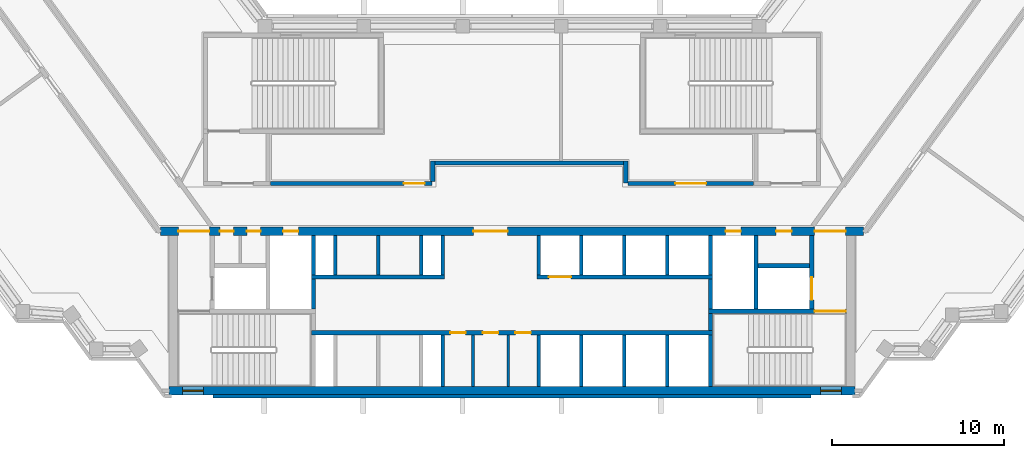
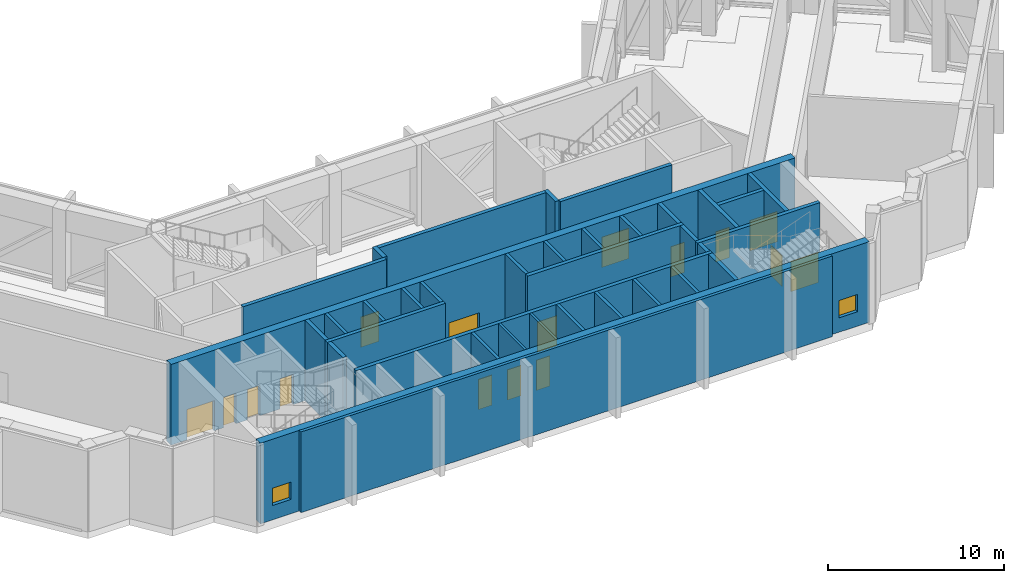
# One storey, part 10 of 15: 36 walls, 16 doors, 2 windows, 18 openings.
"""IFC4 building model written with IfcOpenShell, lengths in metres."""

import ifcopenshell
import ifcopenshell.guid

model = None  # the IFC model being written
_history = None  # IfcOwnerHistory: only IFC2X3 demands one
_inside = {}  # id of a spatial element -> (the spatial element, [elements in it])
_under = {}  # id of a project, library or spatial element -> (it, [spatial elements below it])
_declared = {}  # id of a project -> (the project, [libraries it declares])
_typed = {}  # id of a type object -> (the type object, [elements of that type])
_made_of = {}  # id of a material, layer set ... -> (it, [elements and type objects made of it])


def new_model(schema):
    """Start an empty IFC model of exactly this schema.

    Asked for "IFC4X3", IfcOpenShell would pick the latest addendum, in which some entities
    have other attributes; the version numbers below select the first issue.
    IFC2X3 requires an IfcOwnerHistory on every rooted entity: one is made here for all.
    """
    global model, _history
    if schema == "IFC4X3":
        model = ifcopenshell.file(schema_version=(4, 3, 0, 0))
    else:
        model = ifcopenshell.file(schema=schema)
    _inside.clear()
    _under.clear()
    _declared.clear()
    _typed.clear()
    _made_of.clear()
    _history = None
    if model.schema == "IFC2X3":
        org = make("IfcOrganization", Name="unknown")
        user = make(
            "IfcPersonAndOrganization",
            ThePerson=make("IfcPerson", FamilyName="unknown"),
            TheOrganization=org,
        )
        app = make(
            "IfcApplication",
            ApplicationDeveloper=org,
            Version="unknown",
            ApplicationFullName="unknown",
            ApplicationIdentifier="unknown",
        )
        _history = make(
            "IfcOwnerHistory",
            OwningUser=user,
            OwningApplication=app,
            ChangeAction="ADDED",
            CreationDate=0,
        )
    return model


def make(cls, **values):
    """One entity of the class cls with the attributes given. An attribute that is None is left unset."""
    return model.create_entity(
        cls, **{name: value for name, value in values.items() if value is not None}
    )


def rooted(cls, **values):
    """An entity with a GlobalId (a new one), such as an element, a storey or a relation."""
    return make(cls, GlobalId=ifcopenshell.guid.new(), OwnerHistory=_history, **values)


def si_unit(unit_type, name, prefix=None):
    """IfcSIUnit, for example si_unit("LENGTHUNIT", "METRE", prefix="MILLI")."""
    return make("IfcSIUnit", UnitType=unit_type, Prefix=prefix, Name=name)


def assignment(units):
    """IfcUnitAssignment: the units of a project."""
    return None if units is None else make("IfcUnitAssignment", Units=units)


def point(xyz):
    """IfcCartesianPoint."""
    return None if xyz is None else make("IfcCartesianPoint", Coordinates=xyz)


def direction(xyz):
    """IfcDirection."""
    return None if xyz is None else make("IfcDirection", DirectionRatios=xyz)


def frame(location, z_axis=None, x_axis=None):
    """IfcAxis2Placement3D, a coordinate frame: its origin and axes. An axis left out is left unset."""
    return make(
        "IfcAxis2Placement3D",
        Location=point(location),
        Axis=direction(z_axis),
        RefDirection=direction(x_axis),
    )


def frame_2d(location, x_axis=None):
    """IfcAxis2Placement2D, a coordinate frame in the plane: its origin and x axis."""
    return make(
        "IfcAxis2Placement2D", Location=point(location), RefDirection=direction(x_axis)
    )


def origin():
    """The frame at (0, 0, 0) with its axes left unset."""
    return frame((0.0, 0.0, 0.0))


def place(relative_to, where):
    """IfcLocalPlacement: puts the frame where relative to a parent placement (None: the world)."""
    return make(
        "IfcLocalPlacement", PlacementRelTo=relative_to, RelativePlacement=where
    )


def context(
    kind, dimensions, precision=None, world=None, true_north=None, identifier=None
):
    """IfcGeometricRepresentationContext, for example the 3D "Model" context."""
    return make(
        "IfcGeometricRepresentationContext",
        ContextIdentifier=identifier,
        ContextType=kind,
        CoordinateSpaceDimension=dimensions,
        Precision=precision,
        WorldCoordinateSystem=world,
        TrueNorth=true_north,
    )


def subcontext(parent, identifier, kind, view, scale=None):
    """IfcGeometricRepresentationSubContext, for example "Body" below "Model"."""
    return make(
        "IfcGeometricRepresentationSubContext",
        ContextIdentifier=identifier,
        ContextType=kind,
        ParentContext=parent,
        TargetScale=scale,
        TargetView=view,
    )


def project(units=None, contexts=None):
    """IfcProject with its units and contexts."""
    return rooted(
        "IfcProject",
        Name="project",
        RepresentationContexts=contexts,
        UnitsInContext=assignment(units),
    )


def spatial(cls, under=None, at=None, **own):
    """A site, building, storey or space (cls), placed at a placement, below another one or the project."""
    s = rooted(cls, ObjectPlacement=at, **own)
    if under is not None:
        _under.setdefault(under.id(), (under, []))[1].append(s)
    return s


def profile(cls, at=None, kind="AREA", **sizes):
    """A parametric profile (cls). Its sizes go by their IFC names, for example OverallWidth=200.0."""
    return make(cls, ProfileType=kind, Position=at, **sizes)


def rectangle(**sizes):
    """IfcRectangleProfileDef."""
    return profile("IfcRectangleProfileDef", **sizes)


def extrude(swept, where, along, depth):
    """IfcExtrudedAreaSolid: the profile swept, set in the frame where, extruded along a direction by depth."""
    return make(
        "IfcExtrudedAreaSolid",
        SweptArea=swept,
        Position=where,
        ExtrudedDirection=direction(along),
        Depth=depth,
    )


def shape(context_of_items, identifier, shape_type, items):
    """IfcShapeRepresentation: the items that make up one representation, for example the "Body"."""
    return make(
        "IfcShapeRepresentation",
        ContextOfItems=context_of_items,
        RepresentationIdentifier=identifier,
        RepresentationType=shape_type,
        Items=items,
    )


def material(Name=None, Category=None):
    """IfcMaterial."""
    return make("IfcMaterial", Name=Name, Category=Category)


def layer(
    of_material, thickness, ventilated=None, Name=None, Category=None, Priority=None
):
    """IfcMaterialLayer: one layer of a wall or slab, of a material (None: an air gap)."""
    return make(
        "IfcMaterialLayer",
        Material=of_material,
        LayerThickness=thickness,
        IsVentilated=ventilated,
        Name=Name,
        Category=Category,
        Priority=Priority,
    )


def layer_set(layers, Name=None):
    """IfcMaterialLayerSet."""
    return make("IfcMaterialLayerSet", MaterialLayers=layers, LayerSetName=Name)


def made_of(thing, what):
    """Note that an element or type object is made of a material, layer set ...; save() writes the relation."""
    if what is not None:
        _made_of.setdefault(what.id(), (what, []))[1].append(thing)
    return thing


def type_object(cls, material=None, **own):
    """A type object (cls), such as IfcWallType, which elements share."""
    return made_of(rooted(cls, **own), material)


def element(
    cls,
    number,
    at=None,
    inside=None,
    cuts=None,
    type_object=None,
    material=None,
    context=None,
    identifier="Body",
    shape_type=None,
    held_by="IfcProductDefinitionShape",
    body=None,
    shapes=None,
    **own,
):
    """One element of the class cls, such as IfcWall. Its Tag is "e" and its number.

    at: its placement. inside: the storey or other place that contains it. cuts: it is an
    opening in that element (IfcRelVoidsElement). A single representation is given by context,
    identifier, shape_type and body (its items); several are given by shapes. held_by: the class
    of the entity that holds the representations. save() writes the other relations.
    """
    e = rooted(cls, Tag="e%d" % number, ObjectPlacement=at, **own)
    if body is not None:
        shapes = [shape(context, identifier, shape_type, body)]
    if shapes is not None:
        e.Representation = make(held_by, Representations=shapes)
    if inside is not None:
        _inside.setdefault(inside.id(), (inside, []))[1].append(e)
    if cuts is not None:
        rooted(
            "IfcRelVoidsElement", RelatingBuildingElement=cuts, RelatedOpeningElement=e
        )
    if type_object is not None:
        _typed.setdefault(type_object.id(), (type_object, []))[1].append(e)
    return made_of(e, material)


def fill(opening, filler):
    """IfcRelFillsElement: the door or window that sits in an opening."""
    return rooted(
        "IfcRelFillsElement",
        RelatingOpeningElement=opening,
        RelatedBuildingElement=filler,
    )


def aggregate(whole, parts):
    """IfcRelAggregates: a whole, such as a stair, and the parts it consists of."""
    return rooted("IfcRelAggregates", RelatingObject=whole, RelatedObjects=parts)


def save(model, path):
    """Write the relations noted so far, then the file.

    IfcRelAggregates (storeys below a building ...), IfcRelContainedInSpatialStructure (elements
    in a storey), IfcRelDefinesByType, IfcRelAssociatesMaterial and IfcRelDeclares: one each for
    every whole, place, type object, material and project.
    """
    for whole, parts in _under.values():
        aggregate(whole, parts)
    for where, things in _inside.values():
        rooted(
            "IfcRelContainedInSpatialStructure",
            RelatedElements=things,
            RelatingStructure=where,
        )
    for kind, things in _typed.values():
        rooted("IfcRelDefinesByType", RelatedObjects=things, RelatingType=kind)
    for what, things in _made_of.values():
        rooted("IfcRelAssociatesMaterial", RelatedObjects=things, RelatingMaterial=what)
    for by, libraries in _declared.values():
        rooted("IfcRelDeclares", RelatingContext=by, RelatedDefinitions=libraries)
    model.write(path)


model = new_model("IFC4")

# Units and contexts
model_context = context("Model", 3, precision=1e-05, world=origin(), true_north=direction((0.0, 1.0)))
body_context = subcontext(model_context, "Body", "Model", "MODEL_VIEW")
ifc_project = project(units=[si_unit("LENGTHUNIT", "METRE"), si_unit("AREAUNIT", "SQUARE_METRE"), si_unit("VOLUMEUNIT", "CUBIC_METRE"), si_unit("PLANEANGLEUNIT", "RADIAN"), si_unit("MASSUNIT", "GRAM", prefix="KILO")], contexts=[model_context])

# Site, building, storey
site_placement = place(None, origin())
site = spatial("IfcSite", under=ifc_project, at=site_placement, CompositionType="ELEMENT")
building_placement = place(site_placement, origin())
building = spatial("IfcBuilding", under=site, at=building_placement, Name="Quipu Civic Tower", CompositionType="ELEMENT")
storey_placement = place(building_placement, frame((0.0, 0.0, 242.0)))
storey = spatial("IfcBuildingStorey", under=building, at=storey_placement, Name="L57", CompositionType="ELEMENT", Elevation=242.0)

# Wall
ifc_material_1 = material(Name="Concrete C70/85", Category="concrete")
ifc_layer_1 = layer(ifc_material_1, 0.25)
ifc_layer_set_1 = layer_set([ifc_layer_1], Name="Concrete C70/85")
wall_type_1 = type_object("IfcWallType", Name="Core wall 250", PredefinedType="SHEAR", material=ifc_layer_set_1)
wall_1_placement = place(storey_placement, frame((11.574951171875, -10.5, 0.0), z_axis=(0.0, 0.0, 1.0), x_axis=(0.0, 1.0, 0.0)))
element("IfcWall", 1, at=wall_1_placement, inside=storey, type_object=wall_type_1, Name="Core wall", PredefinedType="SHEAR", context=body_context, shape_type="SweptSolid", body=[
    extrude(rectangle(XDim=3.0, YDim=0.25, at=frame_2d((1.5, 0.0))), origin(), (0.0, 0.0, 1.0), 5.60009765625),
])

# Wall, openings, doors
wall_2_placement = place(storey_placement, frame((11.699951171875, -7.375, 0.0), z_axis=(0.0, 0.0, 1.0), x_axis=(-1.0, 0.0, 0.0)))
wall_2 = element("IfcWall", 2, at=wall_2_placement, inside=storey, type_object=wall_type_1, Name="Core wall", PredefinedType="SHEAR", context=body_context, shape_type="SweptSolid", body=[
    extrude(rectangle(XDim=23.39990234375, YDim=0.25, at=frame_2d((11.699951171875, 0.0))), origin(), (0.0, 0.0, 1.0), 5.60009765625),
])
opening_1_placement = place(wall_2_placement, frame((14.39990234375, 0.0, 0.0)))
opening_1 = element("IfcOpeningElement", 3, at=opening_1_placement, cuts=wall_2, Name="Opening CD-01", PredefinedType="OPENING", context=body_context, shape_type="SweptSolid", body=[
    extrude(rectangle(XDim=0.89990234375, YDim=2.10009765625, at=frame_2d((0.449951171875, 1.050048828125))), frame((0.0, 0.135009765625, 0.0), z_axis=(0.0, -1.0, 0.0), x_axis=(1.0, 0.0, 0.0)), (0.0, 0.0, 1.0), 0.27001953125),
])
opening_2_placement = place(wall_2_placement, frame((12.5, 0.0, 0.0)))
opening_2 = element("IfcOpeningElement", 4, at=opening_2_placement, cuts=wall_2, Name="Opening CD-02", PredefinedType="OPENING", context=body_context, shape_type="SweptSolid", body=[
    extrude(rectangle(XDim=0.89990234375, YDim=2.10009765625, at=frame_2d((0.449951171875, 1.050048828125))), frame((0.0, 0.135009765625, 0.0), z_axis=(0.0, -1.0, 0.0), x_axis=(1.0, 0.0, 0.0)), (0.0, 0.0, 1.0), 0.27001953125),
])
opening_3_placement = place(wall_2_placement, frame((10.60009765625, 0.0, 0.0)))
opening_3 = element("IfcOpeningElement", 5, at=opening_3_placement, cuts=wall_2, Name="Opening CD-03", PredefinedType="OPENING", context=body_context, shape_type="SweptSolid", body=[
    extrude(rectangle(XDim=0.89990234375, YDim=2.10009765625, at=frame_2d((0.449951171875, 1.050048828125))), frame((0.0, 0.135009765625, 0.0), z_axis=(0.0, -1.0, 0.0), x_axis=(1.0, 0.0, 0.0)), (0.0, 0.0, 1.0), 0.27001953125),
])
ifc_material_2 = material(Name="Fire rated steel door", Category="steel")
door_type_1 = type_object("IfcDoorType", Name="Fire door FD60 900 x 2100", OperationType="NOTDEFINED", PredefinedType="DOOR", material=ifc_material_2)
door_1_placement = place(opening_1_placement, origin())
door_1 = element("IfcDoor", 6, at=door_1_placement, inside=storey, type_object=door_type_1, Name="Plant door", OperationType="SINGLE_SWING_RIGHT", OverallHeight=2.10009765625, OverallWidth=0.89990234375, PredefinedType="DOOR", context=body_context, shape_type="SweptSolid", body=[
    extrude(rectangle(XDim=0.89990234375, YDim=2.10009765625, at=frame_2d((0.449951171875, 1.050048828125))), frame((0.0, 0.02490234375, 0.0), z_axis=(0.0, -1.0, 0.0), x_axis=(1.0, 0.0, 0.0)), (0.0, 0.0, 1.0), 0.050048828125),
])
fill(opening_1, door_1)
door_2_placement = place(opening_2_placement, origin())
door_2 = element("IfcDoor", 7, at=door_2_placement, inside=storey, type_object=door_type_1, Name="Plant door", OperationType="SINGLE_SWING_RIGHT", OverallHeight=2.10009765625, OverallWidth=0.89990234375, PredefinedType="DOOR", context=body_context, shape_type="SweptSolid", body=[
    extrude(rectangle(XDim=0.89990234375, YDim=2.10009765625, at=frame_2d((0.449951171875, 1.050048828125))), frame((0.0, 0.02490234375, 0.0), z_axis=(0.0, -1.0, 0.0), x_axis=(1.0, 0.0, 0.0)), (0.0, 0.0, 1.0), 0.050048828125),
])
fill(opening_2, door_2)
door_3_placement = place(opening_3_placement, origin())
door_3 = element("IfcDoor", 8, at=door_3_placement, inside=storey, type_object=door_type_1, Name="Plant door", OperationType="SINGLE_SWING_LEFT", OverallHeight=2.10009765625, OverallWidth=0.89990234375, PredefinedType="DOOR", context=body_context, shape_type="SweptSolid", body=[
    extrude(rectangle(XDim=0.89990234375, YDim=2.10009765625, at=frame_2d((0.449951171875, 1.050048828125))), frame((0.0, 0.02490234375, 0.0), z_axis=(0.0, -1.0, 0.0), x_axis=(1.0, 0.0, 0.0)), (0.0, 0.0, 1.0), 0.050048828125),
])
fill(opening_3, door_3)

# Wall
wall_3_placement = place(storey_placement, frame((11.574951171875, -7.25, 0.0), z_axis=(0.0, 0.0, 1.0), x_axis=(0.0, 1.0, 0.0)))
element("IfcWall", 9, at=wall_3_placement, inside=storey, type_object=wall_type_1, Name="Core wall", PredefinedType="SHEAR", context=body_context, shape_type="SweptSolid", body=[
    extrude(rectangle(XDim=1.0, YDim=0.25, at=frame_2d((0.5, 0.0))), origin(), (0.0, 0.0, 1.0), 5.60009765625),
])

# Wall, opening, door
wall_4_placement = place(storey_placement, frame((19.5, -6.125, 0.0), z_axis=(0.0, 0.0, 1.0), x_axis=(-1.0, 0.0, 0.0)))
wall_4 = element("IfcWall", 10, at=wall_4_placement, inside=storey, type_object=wall_type_1, Name="Core wall", PredefinedType="SHEAR", context=body_context, shape_type="SweptSolid", body=[
    extrude(rectangle(XDim=8.050048828125, YDim=0.25, at=frame_2d((4.02490234375, 0.0))), origin(), (0.0, 0.0, 1.0), 5.60009765625),
])
opening_4_placement = place(wall_4_placement, frame((0.050048828125, 0.0, 0.0)))
opening_4 = element("IfcOpeningElement", 11, at=opening_4_placement, cuts=wall_4, Name="Opening CD-05", PredefinedType="OPENING", context=body_context, shape_type="SweptSolid", body=[
    extrude(rectangle(XDim=1.800048828125, YDim=2.10009765625, at=frame_2d((0.89990234375, 1.050048828125))), frame((0.0, 0.135009765625, 0.0), z_axis=(0.0, -1.0, 0.0), x_axis=(1.0, 0.0, 0.0)), (0.0, 0.0, 1.0), 0.27001953125),
])
ifc_material_3 = material(Name="Fire rated steel door", Category="steel")
door_type_2 = type_object("IfcDoorType", Name="Fire door FD90 double 1800 x 2100", OperationType="NOTDEFINED", PredefinedType="DOOR", material=ifc_material_3)
door_4_placement = place(opening_4_placement, origin())
door_4 = element("IfcDoor", 12, at=door_4_placement, inside=storey, type_object=door_type_2, Name="Door", OperationType="DOUBLE_DOOR_SINGLE_SWING", OverallHeight=2.10009765625, OverallWidth=1.800048828125, PredefinedType="DOOR", context=body_context, shape_type="SweptSolid", body=[
    extrude(rectangle(XDim=1.800048828125, YDim=2.10009765625, at=frame_2d((0.89990234375, 1.050048828125))), frame((0.0, 0.02490234375, 0.0), z_axis=(0.0, -1.0, 0.0), x_axis=(1.0, 0.0, 0.0)), (0.0, 0.0, 1.0), 0.050048828125),
])
fill(opening_4, door_4)

# Walls
for number, where, z_axis, x_axis, name in (
    (13, (-11.574951171875, -6.0, 0.0), (0.0, 0.0, 1.0), (0.0, 1.0, 0.0), "Core wall"),
    (14, (11.574951171875, -6.0, 0.0), (0.0, 0.0, 1.0), (0.0, 1.0, 0.0), "Core wall"),
):
    element("IfcWall", number, at=place(storey_placement, frame(where, z_axis=z_axis, x_axis=x_axis)), inside=storey, type_object=wall_type_1, Name=name, PredefinedType="SHEAR", context=body_context, shape_type="SweptSolid", body=[
        extrude(rectangle(XDim=1.75, YDim=0.25, at=frame_2d((0.875, 0.0))), origin(), (0.0, 0.0, 1.0), 5.60009765625),
    ])
wall_5_placement = place(storey_placement, frame((14.22509765625, -6.0, 0.0), z_axis=(0.0, 0.0, 1.0), x_axis=(0.0, 1.0, 0.0)))
element("IfcWall", 15, at=wall_5_placement, inside=storey, type_object=wall_type_1, Name="Core wall", PredefinedType="SHEAR", context=body_context, shape_type="SweptSolid", body=[
    extrude(rectangle(XDim=4.300048828125, YDim=0.25, at=frame_2d((2.14990234375, 0.0))), origin(), (0.0, 0.0, 1.0), 5.60009765625),
])

# Wall, opening, door
wall_6_placement = place(storey_placement, frame((17.47509765625, -6.0, 0.0), z_axis=(0.0, 0.0, 1.0), x_axis=(0.0, 1.0, 0.0)))
wall_6 = element("IfcWall", 16, at=wall_6_placement, inside=storey, type_object=wall_type_1, Name="Core wall", PredefinedType="SHEAR", context=body_context, shape_type="SweptSolid", body=[
    extrude(rectangle(XDim=4.300048828125, YDim=0.25, at=frame_2d((2.14990234375, 0.0))), origin(), (0.0, 0.0, 1.0), 5.60009765625),
])
opening_5_placement = place(wall_6_placement, frame((0.550048828125, 0.0, 0.0)))
opening_5 = element("IfcOpeningElement", 17, at=opening_5_placement, cuts=wall_6, Name="Opening LD-FF2", PredefinedType="OPENING", context=body_context, shape_type="SweptSolid", body=[
    extrude(rectangle(XDim=1.300048828125, YDim=2.10009765625, at=frame_2d((0.64990234375, 1.050048828125))), frame((0.0, 0.135009765625, 0.0), z_axis=(0.0, -1.0, 0.0), x_axis=(1.0, 0.0, 0.0)), (0.0, 0.0, 1.0), 0.27001953125),
])
ifc_material_4 = material(Name="Stainless steel", Category="steel")
door_type_3 = type_object("IfcDoorType", Name="Lift landing door 1300 x 2100", OperationType="DOUBLE_DOOR_SLIDING", PredefinedType="DOOR", material=ifc_material_4)
door_5_placement = place(opening_5_placement, origin())
door_5 = element("IfcDoor", 18, at=door_5_placement, inside=storey, type_object=door_type_3, Name="Landing door FF2", OperationType="DOUBLE_DOOR_SLIDING", OverallHeight=2.10009765625, OverallWidth=1.300048828125, PredefinedType="DOOR", context=body_context, shape_type="SweptSolid", body=[
    extrude(rectangle(XDim=1.300048828125, YDim=2.10009765625, at=frame_2d((0.64990234375, 1.050048828125))), frame((0.0, 0.02490234375, 0.0), z_axis=(0.0, -1.0, 0.0), x_axis=(1.0, 0.0, 0.0)), (0.0, 0.0, 1.0), 0.050048828125),
])
fill(opening_5, door_5)

# Wall
wall_7_placement = place(storey_placement, frame((-11.699951171875, -4.125, 0.0), z_axis=(0.0, 0.0, 1.0), x_axis=(1.0, 0.0, 0.0)))
element("IfcWall", 19, at=wall_7_placement, inside=storey, type_object=wall_type_1, Name="Core wall", PredefinedType="SHEAR", context=body_context, shape_type="SweptSolid", body=[
    extrude(rectangle(XDim=7.75, YDim=0.25, at=frame_2d((3.875, 0.0))), origin(), (0.0, 0.0, 1.0), 5.60009765625),
])

# Wall, opening, door
wall_8_placement = place(storey_placement, frame((1.449951171875, -4.125, 0.0), z_axis=(0.0, 0.0, 1.0), x_axis=(1.0, 0.0, 0.0)))
wall_8 = element("IfcWall", 20, at=wall_8_placement, inside=storey, type_object=wall_type_1, Name="Core wall", PredefinedType="SHEAR", context=body_context, shape_type="SweptSolid", body=[
    extrude(rectangle(XDim=10.25, YDim=0.25, at=frame_2d((5.125, 0.0))), origin(), (0.0, 0.0, 1.0), 5.60009765625),
])
opening_6_placement = place(wall_8_placement, frame((0.699951171875, 0.0, 0.0)))
opening_6 = element("IfcOpeningElement", 21, at=opening_6_placement, cuts=wall_8, Name="Opening LD-FF3", PredefinedType="OPENING", context=body_context, shape_type="SweptSolid", body=[
    extrude(rectangle(XDim=1.300048828125, YDim=2.10009765625, at=frame_2d((0.64990234375, 1.050048828125))), frame((0.0, 0.135009765625, 0.0), z_axis=(0.0, -1.0, 0.0), x_axis=(1.0, 0.0, 0.0)), (0.0, 0.0, 1.0), 0.27001953125),
])
door_6_placement = place(opening_6_placement, origin())
door_6 = element("IfcDoor", 22, at=door_6_placement, inside=storey, type_object=door_type_3, Name="Landing door FF3", OperationType="DOUBLE_DOOR_SLIDING", OverallHeight=2.10009765625, OverallWidth=1.300048828125, PredefinedType="DOOR", context=body_context, shape_type="SweptSolid", body=[
    extrude(rectangle(XDim=1.300048828125, YDim=2.10009765625, at=frame_2d((0.64990234375, 1.050048828125))), frame((0.0, 0.02490234375, 0.0), z_axis=(0.0, -1.0, 0.0), x_axis=(1.0, 0.0, 0.0)), (0.0, 0.0, 1.0), 0.050048828125),
])
fill(opening_6, door_6)

# Walls
for number, where, z_axis, x_axis, name in (
    (23, (-11.574951171875, -4.0, 0.0), (0.0, 0.0, 1.0), (0.0, 1.0, 0.0), "Core wall"),
    (24, (11.574951171875, -4.0, 0.0), (0.0, 0.0, 1.0), (0.0, 1.0, 0.0), "Core wall"),
):
    element("IfcWall", number, at=place(storey_placement, frame(where, z_axis=z_axis, x_axis=x_axis)), inside=storey, type_object=wall_type_1, Name=name, PredefinedType="SHEAR", context=body_context, shape_type="SweptSolid", body=[
        extrude(rectangle(XDim=2.300048828125, YDim=0.25, at=frame_2d((1.14990234375, 0.0))), origin(), (0.0, 0.0, 1.0), 5.60009765625),
    ])
wall_9_placement = place(storey_placement, frame((14.35009765625, -3.47509765625, 0.0), z_axis=(0.0, 0.0, 1.0), x_axis=(1.0, 0.0, 0.0)))
element("IfcWall", 25, at=wall_9_placement, inside=storey, type_object=wall_type_1, Name="Core wall", PredefinedType="SHEAR", context=body_context, shape_type="SweptSolid", body=[
    extrude(rectangle(XDim=3.0, YDim=0.25, at=frame_2d((1.5, 0.0))), origin(), (0.0, 0.0, 1.0), 5.60009765625),
])

# Wall, openings, windows
ifc_material_5 = material(Name="Concrete C70/85", Category="concrete")
ifc_layer_2 = layer(ifc_material_5, 0.5)
ifc_layer_set_2 = layer_set([ifc_layer_2], Name="Concrete C70/85")
wall_type_2 = type_object("IfcWallType", Name="Core wall 500", PredefinedType="SHEAR", material=ifc_layer_set_2)
wall_10_placement = place(storey_placement, frame((-20.0, -10.75, 0.0), z_axis=(0.0, 0.0, 1.0), x_axis=(1.0, 0.0, 0.0)))
wall_10 = element("IfcWall", 26, at=wall_10_placement, inside=storey, type_object=wall_type_2, Name="Core wall", PredefinedType="SHEAR", context=body_context, shape_type="SweptSolid", body=[
    extrude(rectangle(XDim=40.0, YDim=0.5, at=frame_2d((20.0, 0.0))), origin(), (0.0, 0.0, 1.0), 5.60009765625),
])
opening_7_placement = place(wall_10_placement, frame((0.800048828125, 0.0, 1.0)))
opening_7 = element("IfcOpeningElement", 27, at=opening_7_placement, cuts=wall_10, Name="Opening SV-1", PredefinedType="OPENING", context=body_context, shape_type="SweptSolid", body=[
    extrude(rectangle(XDim=1.199951171875, YDim=1.199951171875, at=frame_2d((0.60009765625, 0.60009765625))), frame((0.0, 0.260009765625, 0.0), z_axis=(0.0, -1.0, 0.0), x_axis=(1.0, 0.0, 0.0)), (0.0, 0.0, 1.0), 0.52001953125),
])
opening_8_placement = place(wall_10_placement, frame((38.0, 0.0, 1.0)))
opening_8 = element("IfcOpeningElement", 28, at=opening_8_placement, cuts=wall_10, Name="Opening SV-2", PredefinedType="OPENING", context=body_context, shape_type="SweptSolid", body=[
    extrude(rectangle(XDim=1.199951171875, YDim=1.199951171875, at=frame_2d((0.60009765625, 0.60009765625))), frame((0.0, 0.260009765625, 0.0), z_axis=(0.0, -1.0, 0.0), x_axis=(1.0, 0.0, 0.0)), (0.0, 0.0, 1.0), 0.52001953125),
])
ifc_material_6 = material(Name="Aluminium louvre", Category="aluminium")
window_type = type_object("IfcWindowType", Name="Stair ventilation louvre 1200 x 1200", PartitioningType="SINGLE_PANEL", PredefinedType="WINDOW", material=ifc_material_6)
window_1_placement = place(opening_7_placement, origin())
window_1 = element("IfcWindow", 29, at=window_1_placement, inside=storey, type_object=window_type, Name="Stair ventilation opening", OverallHeight=1.199951171875, OverallWidth=1.199951171875, PartitioningType="SINGLE_PANEL", PredefinedType="WINDOW", context=body_context, shape_type="SweptSolid", body=[
    extrude(rectangle(XDim=1.199951171875, YDim=1.199951171875, at=frame_2d((0.60009765625, 0.60009765625))), frame((0.0, 0.030029296875, 0.0), z_axis=(0.0, -1.0, 0.0), x_axis=(1.0, 0.0, 0.0)), (0.0, 0.0, 1.0), 0.06005859375),
])
fill(opening_7, window_1)
window_2_placement = place(opening_8_placement, origin())
window_2 = element("IfcWindow", 30, at=window_2_placement, inside=storey, type_object=window_type, Name="Stair ventilation opening", OverallHeight=1.199951171875, OverallWidth=1.199951171875, PartitioningType="SINGLE_PANEL", PredefinedType="WINDOW", context=body_context, shape_type="SweptSolid", body=[
    extrude(rectangle(XDim=1.199951171875, YDim=1.199951171875, at=frame_2d((0.60009765625, 0.60009765625))), frame((0.0, 0.030029296875, 0.0), z_axis=(0.0, -1.0, 0.0), x_axis=(1.0, 0.0, 0.0)), (0.0, 0.0, 1.0), 0.06005859375),
])
fill(opening_8, window_2)

# Wall, openings, doors
wall_11_placement = place(storey_placement, frame((20.489990234375, -1.449951171875, 0.0), z_axis=(0.0, 0.0, 1.0), x_axis=(-1.0, 0.0, 0.0)))
wall_11 = element("IfcWall", 31, at=wall_11_placement, inside=storey, type_object=wall_type_2, Name="Core wall", PredefinedType="SHEAR", context=body_context, shape_type="SweptSolid", body=[
    extrude(rectangle(XDim=40.97998046875, YDim=0.5, at=frame_2d((20.489990234375, 0.0))), origin(), (0.0, 0.0, 1.0), 5.60009765625),
])
opening_9_placement = place(wall_11_placement, frame((38.139892578125, 0.0, 0.0)))
opening_9 = element("IfcOpeningElement", 32, at=opening_9_placement, cuts=wall_11, Name="Opening CD-06", PredefinedType="OPENING", context=body_context, shape_type="SweptSolid", body=[
    extrude(rectangle(XDim=1.800048828125, YDim=2.10009765625, at=frame_2d((0.89990234375, 1.050048828125))), frame((0.0, 0.260009765625, 0.0), z_axis=(0.0, -1.0, 0.0), x_axis=(1.0, 0.0, 0.0)), (0.0, 0.0, 1.0), 0.52001953125),
])
opening_10_placement = place(wall_11_placement, frame((36.7275390625, 0.0, 0.0)))
opening_10 = element("IfcOpeningElement", 33, at=opening_10_placement, cuts=wall_11, Name="Opening CD-07", PredefinedType="OPENING", context=body_context, shape_type="SweptSolid", body=[
    extrude(rectangle(XDim=0.800048828125, YDim=2.10009765625, at=frame_2d((0.39990234375, 1.050048828125))), frame((0.0, 0.260009765625, 0.0), z_axis=(0.0, -1.0, 0.0), x_axis=(1.0, 0.0, 0.0)), (0.0, 0.0, 1.0), 0.52001953125),
])
opening_11_placement = place(wall_11_placement, frame((35.152587890625, 0.0, 0.0)))
opening_11 = element("IfcOpeningElement", 34, at=opening_11_placement, cuts=wall_11, Name="Opening CD-08", PredefinedType="OPENING", context=body_context, shape_type="SweptSolid", body=[
    extrude(rectangle(XDim=0.800048828125, YDim=2.10009765625, at=frame_2d((0.39990234375, 1.050048828125))), frame((0.0, 0.260009765625, 0.0), z_axis=(0.0, -1.0, 0.0), x_axis=(1.0, 0.0, 0.0)), (0.0, 0.0, 1.0), 0.52001953125),
])
opening_12_placement = place(wall_11_placement, frame((32.93994140625, 0.0, 0.0)))
opening_12 = element("IfcOpeningElement", 35, at=opening_12_placement, cuts=wall_11, Name="Opening CD-09", PredefinedType="OPENING", context=body_context, shape_type="SweptSolid", body=[
    extrude(rectangle(XDim=0.89990234375, YDim=2.10009765625, at=frame_2d((0.449951171875, 1.050048828125))), frame((0.0, 0.260009765625, 0.0), z_axis=(0.0, -1.0, 0.0), x_axis=(1.0, 0.0, 0.0)), (0.0, 0.0, 1.0), 0.52001953125),
])
opening_13_placement = place(wall_11_placement, frame((20.739990234375, 0.0, 0.0)))
opening_13 = element("IfcOpeningElement", 36, at=opening_13_placement, cuts=wall_11, Name="Opening CD-10", PredefinedType="OPENING", context=body_context, shape_type="SweptSolid", body=[
    extrude(rectangle(XDim=2.0, YDim=2.10009765625, at=frame_2d((1.0, 1.050048828125))), frame((0.0, 0.260009765625, 0.0), z_axis=(0.0, -1.0, 0.0), x_axis=(1.0, 0.0, 0.0)), (0.0, 0.0, 1.0), 0.52001953125),
])
opening_14_placement = place(wall_11_placement, frame((7.139892578125, 0.0, 0.0)))
opening_14 = element("IfcOpeningElement", 37, at=opening_14_placement, cuts=wall_11, Name="Opening CD-11", PredefinedType="OPENING", context=body_context, shape_type="SweptSolid", body=[
    extrude(rectangle(XDim=0.89990234375, YDim=2.10009765625, at=frame_2d((0.449951171875, 1.050048828125))), frame((0.0, 0.260009765625, 0.0), z_axis=(0.0, -1.0, 0.0), x_axis=(1.0, 0.0, 0.0)), (0.0, 0.0, 1.0), 0.52001953125),
])
opening_15_placement = place(wall_11_placement, frame((4.18994140625, 0.0, 0.0)))
opening_15 = element("IfcOpeningElement", 38, at=opening_15_placement, cuts=wall_11, Name="Opening CD-12", PredefinedType="OPENING", context=body_context, shape_type="SweptSolid", body=[
    extrude(rectangle(XDim=0.89990234375, YDim=2.10009765625, at=frame_2d((0.449951171875, 1.050048828125))), frame((0.0, 0.260009765625, 0.0), z_axis=(0.0, -1.0, 0.0), x_axis=(1.0, 0.0, 0.0)), (0.0, 0.0, 1.0), 0.52001953125),
])
opening_16_placement = place(wall_11_placement, frame((1.0400390625, 0.0, 0.0)))
opening_16 = element("IfcOpeningElement", 39, at=opening_16_placement, cuts=wall_11, Name="Opening CD-13", PredefinedType="OPENING", context=body_context, shape_type="SweptSolid", body=[
    extrude(rectangle(XDim=1.800048828125, YDim=2.10009765625, at=frame_2d((0.89990234375, 1.050048828125))), frame((0.0, 0.260009765625, 0.0), z_axis=(0.0, -1.0, 0.0), x_axis=(1.0, 0.0, 0.0)), (0.0, 0.0, 1.0), 0.52001953125),
])
ifc_material_7 = material(Name="Fire rated steel door", Category="steel")
door_type_4 = type_object("IfcDoorType", Name="Fire door FD60 800 x 2100", OperationType="NOTDEFINED", PredefinedType="DOOR", material=ifc_material_7)
door_7_placement = place(opening_10_placement, origin())
door_7 = element("IfcDoor", 40, at=door_7_placement, inside=storey, type_object=door_type_4, Name="Door", OperationType="SINGLE_SWING_RIGHT", OverallHeight=2.10009765625, OverallWidth=0.800048828125, PredefinedType="DOOR", context=body_context, shape_type="SweptSolid", body=[
    extrude(rectangle(XDim=0.800048828125, YDim=2.10009765625, at=frame_2d((0.39990234375, 1.050048828125))), frame((0.0, 0.02490234375, 0.0), z_axis=(0.0, -1.0, 0.0), x_axis=(1.0, 0.0, 0.0)), (0.0, 0.0, 1.0), 0.050048828125),
])
fill(opening_10, door_7)
door_8_placement = place(opening_11_placement, origin())
door_8 = element("IfcDoor", 41, at=door_8_placement, inside=storey, type_object=door_type_4, Name="Door", OperationType="SINGLE_SWING_RIGHT", OverallHeight=2.10009765625, OverallWidth=0.800048828125, PredefinedType="DOOR", context=body_context, shape_type="SweptSolid", body=[
    extrude(rectangle(XDim=0.800048828125, YDim=2.10009765625, at=frame_2d((0.39990234375, 1.050048828125))), frame((0.0, 0.02490234375, 0.0), z_axis=(0.0, -1.0, 0.0), x_axis=(1.0, 0.0, 0.0)), (0.0, 0.0, 1.0), 0.050048828125),
])
fill(opening_11, door_8)
door_9_placement = place(opening_12_placement, origin())
door_9 = element("IfcDoor", 42, at=door_9_placement, inside=storey, type_object=door_type_1, Name="Riser door", OperationType="SINGLE_SWING_RIGHT", OverallHeight=2.10009765625, OverallWidth=0.89990234375, PredefinedType="DOOR", context=body_context, shape_type="SweptSolid", body=[
    extrude(rectangle(XDim=0.89990234375, YDim=2.10009765625, at=frame_2d((0.449951171875, 1.050048828125))), frame((0.0, 0.02490234375, 0.0), z_axis=(0.0, -1.0, 0.0), x_axis=(1.0, 0.0, 0.0)), (0.0, 0.0, 1.0), 0.050048828125),
])
fill(opening_12, door_9)
door_10_placement = place(opening_14_placement, origin())
door_10 = element("IfcDoor", 43, at=door_10_placement, inside=storey, type_object=door_type_1, Name="Riser door", OperationType="SINGLE_SWING_LEFT", OverallHeight=2.10009765625, OverallWidth=0.89990234375, PredefinedType="DOOR", context=body_context, shape_type="SweptSolid", body=[
    extrude(rectangle(XDim=0.89990234375, YDim=2.10009765625, at=frame_2d((0.449951171875, 1.050048828125))), frame((0.0, 0.02490234375, 0.0), z_axis=(0.0, -1.0, 0.0), x_axis=(1.0, 0.0, 0.0)), (0.0, 0.0, 1.0), 0.050048828125),
])
fill(opening_14, door_10)
door_11_placement = place(opening_15_placement, origin())
door_11 = element("IfcDoor", 44, at=door_11_placement, inside=storey, type_object=door_type_1, Name="Door", OperationType="SINGLE_SWING_LEFT", OverallHeight=2.10009765625, OverallWidth=0.89990234375, PredefinedType="DOOR", context=body_context, shape_type="SweptSolid", body=[
    extrude(rectangle(XDim=0.89990234375, YDim=2.10009765625, at=frame_2d((0.449951171875, 1.050048828125))), frame((0.0, 0.02490234375, 0.0), z_axis=(0.0, -1.0, 0.0), x_axis=(1.0, 0.0, 0.0)), (0.0, 0.0, 1.0), 0.050048828125),
])
fill(opening_15, door_11)
door_12_placement = place(opening_9_placement, origin())
door_12 = element("IfcDoor", 45, at=door_12_placement, inside=storey, type_object=door_type_2, Name="Lobby door", OperationType="DOUBLE_DOOR_SINGLE_SWING", OverallHeight=2.10009765625, OverallWidth=1.800048828125, PredefinedType="DOOR", context=body_context, shape_type="SweptSolid", body=[
    extrude(rectangle(XDim=1.800048828125, YDim=2.10009765625, at=frame_2d((0.89990234375, 1.050048828125))), frame((0.0, 0.02490234375, 0.0), z_axis=(0.0, -1.0, 0.0), x_axis=(1.0, 0.0, 0.0)), (0.0, 0.0, 1.0), 0.050048828125),
])
fill(opening_9, door_12)
door_13_placement = place(opening_16_placement, origin())
door_13 = element("IfcDoor", 46, at=door_13_placement, inside=storey, type_object=door_type_2, Name="Lobby door", OperationType="DOUBLE_DOOR_SINGLE_SWING", OverallHeight=2.10009765625, OverallWidth=1.800048828125, PredefinedType="DOOR", context=body_context, shape_type="SweptSolid", body=[
    extrude(rectangle(XDim=1.800048828125, YDim=2.10009765625, at=frame_2d((0.89990234375, 1.050048828125))), frame((0.0, 0.02490234375, 0.0), z_axis=(0.0, -1.0, 0.0), x_axis=(1.0, 0.0, 0.0)), (0.0, 0.0, 1.0), 0.050048828125),
])
fill(opening_16, door_13)
ifc_material_8 = material(Name="Fire rated steel door", Category="steel")
door_type_5 = type_object("IfcDoorType", Name="Fire door FD90 double 2000 x 2100", OperationType="NOTDEFINED", PredefinedType="DOOR", material=ifc_material_8)
door_14_placement = place(opening_13_placement, origin())
door_14 = element("IfcDoor", 47, at=door_14_placement, inside=storey, type_object=door_type_5, Name="Lobby door", OperationType="DOUBLE_DOOR_SINGLE_SWING", OverallHeight=2.10009765625, OverallWidth=2.0, PredefinedType="DOOR", context=body_context, shape_type="SweptSolid", body=[
    extrude(rectangle(XDim=2.0, YDim=2.10009765625, at=frame_2d((1.0, 1.050048828125))), frame((0.0, 0.02490234375, 0.0), z_axis=(0.0, -1.0, 0.0), x_axis=(1.0, 0.0, 0.0)), (0.0, 0.0, 1.0), 0.050048828125),
])
fill(opening_13, door_14)

# Wall
ifc_material_9 = material(Name="Concrete C50/60", Category="concrete")
ifc_layer_3 = layer(ifc_material_9, 0.25)
ifc_layer_set_3 = layer_set([ifc_layer_3], Name="Concrete C50/60")
wall_type_3 = type_object("IfcWallType", Name="Corridor wall 250 concrete", PredefinedType="SOLIDWALL", material=ifc_layer_set_3)
wall_12_placement = place(storey_placement, frame((6.625, 2.64990234375, 0.0), z_axis=(0.0, 0.0, 1.0), x_axis=(0.0, -1.0, 0.0)))
element("IfcWall", 48, at=wall_12_placement, inside=storey, type_object=wall_type_3, Name="Corridor wall C01", PredefinedType="SOLIDWALL", context=body_context, shape_type="SweptSolid", body=[
    extrude(rectangle(XDim=1.291259765625, YDim=0.25, at=frame_2d((0.6455078125, 0.0))), origin(), (0.0, 0.0, 1.0), 5.60009765625),
])

# Wall, opening, door
wall_13_placement = place(storey_placement, frame((6.753662109375, 1.324951171875, 0.0), z_axis=(0.0, 0.0, 1.0), x_axis=(1.0, 0.0, 0.0)))
wall_13 = element("IfcWall", 49, at=wall_13_placement, inside=storey, type_object=wall_type_3, Name="Corridor wall C02", PredefinedType="SOLIDWALL", context=body_context, shape_type="SweptSolid", body=[
    extrude(rectangle(XDim=7.33642578125, YDim=0.25, at=frame_2d((3.668212890625, 0.0))), origin(), (0.0, 0.0, 1.0), 5.60009765625),
])
opening_17_placement = place(wall_13_placement, frame((2.771240234375, 0.0, 0.0)))
opening_17 = element("IfcOpeningElement", 50, at=opening_17_placement, cuts=wall_13, Name="Opening D005", PredefinedType="OPENING", context=body_context, shape_type="SweptSolid", body=[
    extrude(rectangle(XDim=1.800048828125, YDim=2.10009765625, at=frame_2d((0.89990234375, 1.050048828125))), frame((0.0, 0.135009765625, 0.0), z_axis=(0.0, -1.0, 0.0), x_axis=(1.0, 0.0, 0.0)), (0.0, 0.0, 1.0), 0.27001953125),
])
ifc_material_10 = material(Name="Fire rated timber door set with metal frame", Category="wood")
door_type_6 = type_object("IfcDoorType", Name="Double door 1800 x 2100 FD60", OperationType="DOUBLE_DOOR_SINGLE_SWING", PredefinedType="DOOR", material=ifc_material_10)
door_15_placement = place(opening_17_placement, origin())
door_15 = element("IfcDoor", 51, at=door_15_placement, inside=storey, type_object=door_type_6, Name="Door D005", OperationType="DOUBLE_DOOR_SINGLE_SWING", OverallHeight=2.10009765625, OverallWidth=1.800048828125, PredefinedType="DOOR", context=body_context, shape_type="SweptSolid", body=[
    extrude(rectangle(XDim=1.800048828125, YDim=2.10009765625, at=frame_2d((0.89990234375, 1.050048828125))), frame((0.0, 0.02490234375, 0.0), z_axis=(0.0, -1.0, 0.0), x_axis=(1.0, 0.0, 0.0)), (0.0, 0.0, 1.0), 0.050048828125),
])
fill(opening_17, door_15)

wall_14_placement = place(storey_placement, frame((-14.090087890625, 1.324951171875, 0.0), z_axis=(0.0, 0.0, 1.0), x_axis=(1.0, 0.0, 0.0)))
wall_14 = element("IfcWall", 52, at=wall_14_placement, inside=storey, type_object=wall_type_3, Name="Corridor wall C09", PredefinedType="SOLIDWALL", context=body_context, shape_type="SweptSolid", body=[
    extrude(rectangle(XDim=9.431396484375, YDim=0.25, at=frame_2d((4.7158203125, 0.0))), origin(), (0.0, 0.0, 1.0), 5.60009765625),
])
opening_18_placement = place(wall_14_placement, frame((7.7900390625, 0.0, 0.0)))
opening_18 = element("IfcOpeningElement", 53, at=opening_18_placement, cuts=wall_14, Name="Opening D004", PredefinedType="OPENING", context=body_context, shape_type="SweptSolid", body=[
    extrude(rectangle(XDim=1.199951171875, YDim=2.10009765625, at=frame_2d((0.60009765625, 1.050048828125))), frame((0.0, 0.135009765625, 0.0), z_axis=(0.0, -1.0, 0.0), x_axis=(1.0, 0.0, 0.0)), (0.0, 0.0, 1.0), 0.27001953125),
])
ifc_material_11 = material(Name="Fire rated timber door set with metal frame", Category="wood")
door_type_7 = type_object("IfcDoorType", Name="Single door 1200 x 2100 FD60", OperationType="NOTDEFINED", PredefinedType="DOOR", material=ifc_material_11)
door_16_placement = place(opening_18_placement, origin())
door_16 = element("IfcDoor", 54, at=door_16_placement, inside=storey, type_object=door_type_7, Name="Door D004", OperationType="SINGLE_SWING_RIGHT", OverallHeight=2.10009765625, OverallWidth=1.199951171875, PredefinedType="DOOR", context=body_context, shape_type="SweptSolid", body=[
    extrude(rectangle(XDim=1.199951171875, YDim=2.10009765625, at=frame_2d((0.60009765625, 1.050048828125))), frame((0.0, 0.02490234375, 0.0), z_axis=(0.0, -1.0, 0.0), x_axis=(1.0, 0.0, 0.0)), (0.0, 0.0, 1.0), 0.050048828125),
])
fill(opening_18, door_16)

# Walls
wall_15_placement = place(storey_placement, frame((-4.625, 1.45361328125, 0.0), z_axis=(0.0, 0.0, 1.0), x_axis=(0.0, 1.0, 0.0)))
element("IfcWall", 55, at=wall_15_placement, inside=storey, type_object=wall_type_3, Name="Corridor wall C10", PredefinedType="SOLIDWALL", context=body_context, shape_type="SweptSolid", body=[
    extrude(rectangle(XDim=1.1962890625, YDim=0.25, at=frame_2d((0.59814453125, 0.0))), origin(), (0.0, 0.0, 1.0), 5.60009765625),
])
wall_16_placement = place(storey_placement, frame((-4.5, 2.52490234375, 0.0), z_axis=(0.0, 0.0, 1.0), x_axis=(1.0, 0.0, 0.0)))
element("IfcWall", 56, at=wall_16_placement, inside=storey, type_object=wall_type_3, Name="Corridor wall C11", PredefinedType="SOLIDWALL", context=body_context, shape_type="SweptSolid", body=[
    extrude(rectangle(XDim=11.0, YDim=0.25, at=frame_2d((5.5, 0.0))), origin(), (0.0, 0.0, 1.0), 5.60009765625),
])
ifc_material_12 = material(Name="Gypsum board partition")
ifc_layer_4 = layer(ifc_material_12, 0.14990234375)
ifc_layer_set_4 = layer_set([ifc_layer_4], Name="Gypsum board partition")
wall_type_4 = type_object("IfcWallType", Name="Partition 150", PredefinedType="PARTITIONING", material=ifc_layer_set_4)
for number, where, z_axis, x_axis, name in (
    (57, (-2.27490234375, -10.5, 0.0), (0.0, 0.0, 1.0), (0.0, 1.0, 0.0), "Partition"),
    (58, (-0.22509765625, -10.5, 0.0), (0.0, 0.0, 1.0), (0.0, 1.0, 0.0), "Partition"),
):
    element("IfcWall", number, at=place(storey_placement, frame(where, z_axis=z_axis, x_axis=x_axis)), inside=storey, type_object=wall_type_4, Name=name, PredefinedType="PARTITIONING", context=body_context, shape_type="SweptSolid", body=[
        extrude(rectangle(XDim=3.0, YDim=0.14990234375, at=frame_2d((1.5, 0.0))), origin(), (0.0, 0.0, 1.0), 5.60009765625),
    ])
ifc_material_13 = material(Name="Precast concrete C40/50", Category="concrete")
wall_type_5 = type_object("IfcWallType", Name="Precast cladding wall", PredefinedType="SOLIDWALL", material=ifc_material_13)
wall_17_placement = place(storey_placement, frame((-17.44384765625, -11.087890625, 0.0), z_axis=(0.0, 0.0, 1.0), x_axis=(1.0, 0.0, 0.0)))
element("IfcWall", 59, at=wall_17_placement, inside=storey, type_object=wall_type_5, Name="Precast cladding wall L57 19", PredefinedType="SOLIDWALL", context=body_context, shape_type="SweptSolid", body=[
    extrude(rectangle(XDim=34.8876953125, YDim=0.199951171875, at=frame_2d((17.44384765625, 0.0))), origin(), (0.0, 0.0, 1.0), 5.60009765625),
])
ifc_material_14 = material(Name="Concrete C40/50", Category="concrete")
ifc_layer_5 = layer(ifc_material_14, 0.199951171875)
ifc_layer_set_5 = layer_set([ifc_layer_5], Name="Concrete C40/50")
wall_type_6 = type_object("IfcWallType", Name="Shaft wall 200", PredefinedType="SOLIDWALL", material=ifc_layer_set_5)
for number, where, z_axis, x_axis, name in (
    (60, (-4.050048828125, -10.5, 0.0), (0.0, 0.0, 1.0), (0.0, 1.0, 0.0), "Shaft wall"),
    (61, (1.550048828125, -10.5, 0.0), (0.0, 0.0, 1.0), (0.0, 1.0, 0.0), "Shaft wall"),
    (62, (4.050048828125, -10.5, 0.0), (0.0, 0.0, 1.0), (0.0, 1.0, 0.0), "Shaft wall"),
    (63, (6.550048828125, -10.5, 0.0), (0.0, 0.0, 1.0), (0.0, 1.0, 0.0), "Shaft wall"),
    (64, (9.050048828125, -10.5, 0.0), (0.0, 0.0, 1.0), (0.0, 1.0, 0.0), "Shaft wall"),
):
    element("IfcWall", number, at=place(storey_placement, frame(where, z_axis=z_axis, x_axis=x_axis)), inside=storey, type_object=wall_type_6, Name=name, PredefinedType="SOLIDWALL", context=body_context, shape_type="SweptSolid", body=[
        extrude(rectangle(XDim=3.0, YDim=0.199951171875, at=frame_2d((1.5, 0.0))), origin(), (0.0, 0.0, 1.0), 5.60009765625),
    ])
for number, where, z_axis, x_axis, name in (
    (65, (-10.300048828125, -4.0, 0.0), (0.0, 0.0, 1.0), (0.0, 1.0, 0.0), "Shaft wall"),
    (66, (-7.800048828125, -4.0, 0.0), (0.0, 0.0, 1.0), (0.0, 1.0, 0.0), "Shaft wall"),
    (67, (-5.300048828125, -4.0, 0.0), (0.0, 0.0, 1.0), (0.0, 1.0, 0.0), "Shaft wall"),
    (68, (-4.050048828125, -4.0, 0.0), (0.0, 0.0, 1.0), (0.0, 1.0, 0.0), "Shaft wall"),
    (69, (1.550048828125, -4.0, 0.0), (0.0, 0.0, 1.0), (0.0, 1.0, 0.0), "Shaft wall"),
    (70, (4.050048828125, -4.0, 0.0), (0.0, 0.0, 1.0), (0.0, 1.0, 0.0), "Shaft wall"),
    (71, (6.550048828125, -4.0, 0.0), (0.0, 0.0, 1.0), (0.0, 1.0, 0.0), "Shaft wall"),
    (72, (9.050048828125, -4.0, 0.0), (0.0, 0.0, 1.0), (0.0, 1.0, 0.0), "Shaft wall"),
):
    element("IfcWall", number, at=place(storey_placement, frame(where, z_axis=z_axis, x_axis=x_axis)), inside=storey, type_object=wall_type_6, Name=name, PredefinedType="SOLIDWALL", context=body_context, shape_type="SweptSolid", body=[
        extrude(rectangle(XDim=2.300048828125, YDim=0.199951171875, at=frame_2d((1.14990234375, 0.0))), origin(), (0.0, 0.0, 1.0), 5.60009765625),
    ])

save(model, "model.ifc")
